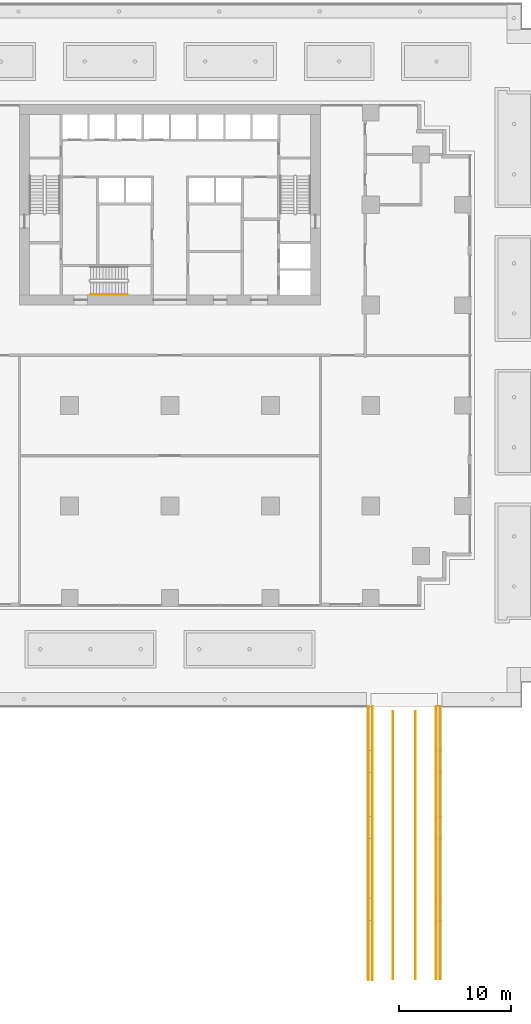
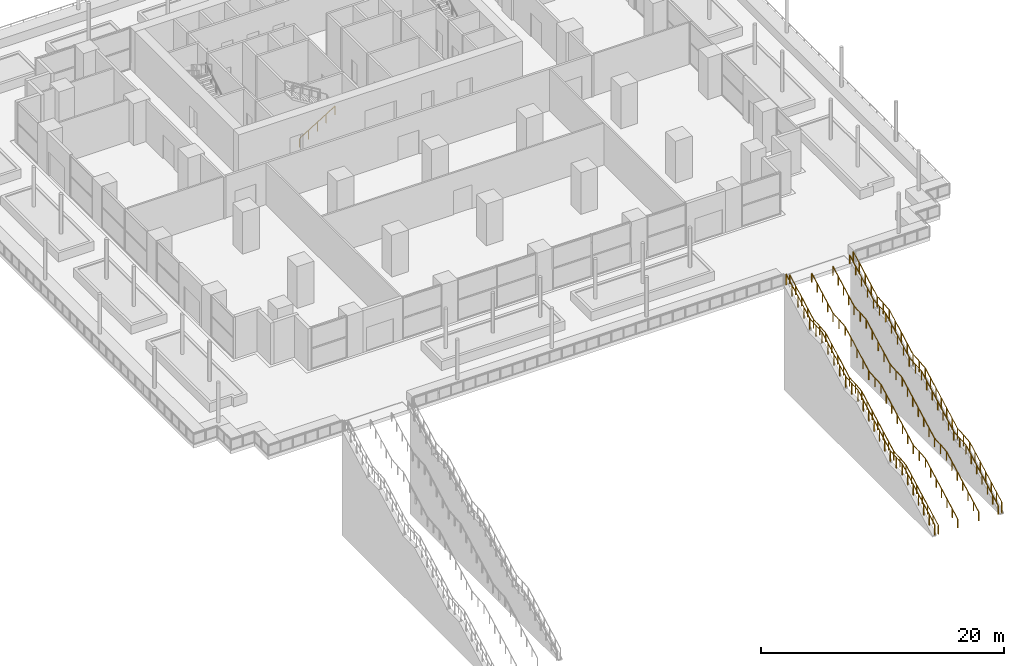
# One storey, part 14 of 18: 7 railings.
"""IFC4 building model written with IfcOpenShell, lengths in metres."""

from ifc_helpers import new_model, si_unit, direction, frame, origin, origin_2d, place, context, subcontext, project, spatial, rectangle, circle, extrude, material, type_object, element, save


model = new_model("IFC4")

# Units and contexts
model_context = context("Model", 3, precision=1e-05, world=origin(), true_north=direction((0.0, 1.0)))
body_context = subcontext(model_context, "Body", "Model", "MODEL_VIEW")
ifc_project = project(units=[si_unit("LENGTHUNIT", "METRE"), si_unit("AREAUNIT", "SQUARE_METRE"), si_unit("VOLUMEUNIT", "CUBIC_METRE"), si_unit("PLANEANGLEUNIT", "RADIAN"), si_unit("MASSUNIT", "GRAM", prefix="KILO")], contexts=[model_context])

# Site, building, storey
site_placement = place(None, origin())
site = spatial("IfcSite", under=ifc_project, at=site_placement, CompositionType="ELEMENT")
building_placement = place(site_placement, origin())
building = spatial("IfcBuilding", under=site, at=building_placement, Name="Orbiselva Terraces", CompositionType="ELEMENT")
storey_placement = place(building_placement, frame((0.0, 0.0, 10.5)))
storey = spatial("IfcBuildingStorey", under=building, at=storey_placement, Name="L02", CompositionType="ELEMENT", Elevation=10.5)

# Railings
ifc_material_1 = material(Name="Stainless steel", Category="steel")
railing_type_1 = type_object("IfcRailingType", Name="CORE-HANDRAIL-900", PredefinedType="HANDRAIL", material=ifc_material_1)
railing_1_placement = place(storey_placement, frame((-7.15, 5.45, 0.173077)))
element("IfcRailing", 1, at=railing_1_placement, inside=storey, type_object=railing_type_1, Name="L02 S3 stair handrail 1", PredefinedType="HANDRAIL", context=body_context, shape_type="SweptSolid", body=[
    extrude(circle(Radius=0.024, at=origin_2d()), frame((0.0, 0.0, 0.876), z_axis=(0.850613581029, 0.0, 0.525791342426), x_axis=(0.0, 1.0, 0.0)), (0.0, 0.0, 1.0), 3.95009),
    extrude(circle(Radius=0.021, at=origin_2d()), origin(), (0.0, 0.0, 1.0), 0.852),
    extrude(circle(Radius=0.021, at=origin_2d()), frame((0.84, 0.0, 0.519231)), (0.0, 0.0, 1.0), 0.852),
    extrude(circle(Radius=0.021, at=origin_2d()), frame((1.68, 0.0, 1.038462)), (0.0, 0.0, 1.0), 0.852),
    extrude(circle(Radius=0.021, at=origin_2d()), frame((2.52, 0.0, 1.557692)), (0.0, 0.0, 1.0), 0.852),
    extrude(circle(Radius=0.021, at=origin_2d()), frame((3.36, 0.0, 2.076923)), (0.0, 0.0, 1.0), 0.852),
])
ifc_material_2 = material(Name="Stainless steel rail and posts", Category="steel")
railing_type_2 = type_object("IfcRailingType", Name="ENV-HANDRAIL-900", PredefinedType="HANDRAIL", material=ifc_material_2)
railing_2_placement = place(storey_placement, frame((23.85, -55.98, -10.35)))
element("IfcRailing", 2, at=railing_2_placement, inside=storey, type_object=railing_type_2, Name="Stair handrail 2E", PredefinedType="HANDRAIL", context=body_context, shape_type="SweptSolid", body=[
    extrude(circle(Radius=0.025, at=origin_2d()), frame((0.0, 0.0, 0.875), z_axis=(0.0, 0.881479970029, 0.472221412515), x_axis=(-1.0, 0.0, 0.0)), (0.0, 0.0, 1.0), 6.035304),
    extrude(circle(Radius=0.025, at=origin_2d()), frame((0.0, 5.32, 3.725), z_axis=(0.0, 0.997199309888, 0.074789948242), x_axis=(-1.0, 0.0, 0.0)), (0.0, 0.0, 1.0), 2.005617),
    extrude(circle(Radius=0.025, at=origin_2d()), frame((0.0, 7.32, 3.875), z_axis=(0.0, 0.881479970029, 0.472221412515), x_axis=(-1.0, 0.0, 0.0)), (0.0, 0.0, 1.0), 6.035304),
    extrude(circle(Radius=0.025, at=origin_2d()), frame((0.0, 12.64, 6.725), z_axis=(0.0, 0.997199309888, 0.074789948242), x_axis=(-1.0, 0.0, 0.0)), (0.0, 0.0, 1.0), 2.005617),
    extrude(circle(Radius=0.025, at=origin_2d()), frame((0.0, 14.64, 6.875), z_axis=(0.0, 0.881479970029, 0.472221412515), x_axis=(-1.0, 0.0, 0.0)), (0.0, 0.0, 1.0), 4.447066),
    extrude(circle(Radius=0.025, at=origin_2d()), frame((0.0, 18.56, 8.975), z_axis=(0.0, 0.997199309888, 0.074789948242), x_axis=(-1.0, 0.0, 0.0)), (0.0, 0.0, 1.0), 2.005617),
    extrude(circle(Radius=0.025, at=origin_2d()), frame((0.0, 20.56, 9.125), z_axis=(0.0, 0.881479970029, 0.472221412515), x_axis=(-1.0, 0.0, 0.0)), (0.0, 0.0, 1.0), 4.447066),
    extrude(rectangle(XDim=0.05, YDim=0.05, at=origin_2d()), origin(), (0.0, 0.0, 1.0), 0.85),
    extrude(rectangle(XDim=0.05, YDim=0.05, at=origin_2d()), frame((0.0, 0.886667, 0.475)), (0.0, 0.0, 1.0), 0.85),
    extrude(rectangle(XDim=0.05, YDim=0.05, at=origin_2d()), frame((0.0, 1.773333, 0.95)), (0.0, 0.0, 1.0), 0.85),
    extrude(rectangle(XDim=0.05, YDim=0.05, at=origin_2d()), frame((0.0, 2.66, 1.425)), (0.0, 0.0, 1.0), 0.85),
    extrude(rectangle(XDim=0.05, YDim=0.05, at=origin_2d()), frame((0.0, 3.546667, 1.9)), (0.0, 0.0, 1.0), 0.85),
    extrude(rectangle(XDim=0.05, YDim=0.05, at=origin_2d()), frame((0.0, 4.433333, 2.375)), (0.0, 0.0, 1.0), 0.85),
    extrude(rectangle(XDim=0.05, YDim=0.05, at=origin_2d()), frame((0.0, 5.32, 2.85)), (0.0, 0.0, 1.0), 0.85),
    extrude(rectangle(XDim=0.05, YDim=0.05, at=origin_2d()), frame((0.0, 6.32, 2.925)), (0.0, 0.0, 1.0), 0.85),
    extrude(rectangle(XDim=0.05, YDim=0.05, at=origin_2d()), frame((0.0, 7.32, 3.0)), (0.0, 0.0, 1.0), 0.85),
    extrude(rectangle(XDim=0.05, YDim=0.05, at=origin_2d()), frame((0.0, 8.206667, 3.475)), (0.0, 0.0, 1.0), 0.85),
    extrude(rectangle(XDim=0.05, YDim=0.05, at=origin_2d()), frame((0.0, 9.093333, 3.95)), (0.0, 0.0, 1.0), 0.85),
    extrude(rectangle(XDim=0.05, YDim=0.05, at=origin_2d()), frame((0.0, 9.98, 4.425)), (0.0, 0.0, 1.0), 0.85),
    extrude(rectangle(XDim=0.05, YDim=0.05, at=origin_2d()), frame((0.0, 10.866667, 4.9)), (0.0, 0.0, 1.0), 0.85),
    extrude(rectangle(XDim=0.05, YDim=0.05, at=origin_2d()), frame((0.0, 11.753333, 5.375)), (0.0, 0.0, 1.0), 0.85),
    extrude(rectangle(XDim=0.05, YDim=0.05, at=origin_2d()), frame((0.0, 12.64, 5.85)), (0.0, 0.0, 1.0), 0.85),
    extrude(rectangle(XDim=0.05, YDim=0.05, at=origin_2d()), frame((0.0, 13.64, 5.925)), (0.0, 0.0, 1.0), 0.85),
    extrude(rectangle(XDim=0.05, YDim=0.05, at=origin_2d()), frame((0.0, 14.64, 6.0)), (0.0, 0.0, 1.0), 0.85),
    extrude(rectangle(XDim=0.05, YDim=0.05, at=origin_2d()), frame((0.0, 15.62, 6.525)), (0.0, 0.0, 1.0), 0.85),
    extrude(rectangle(XDim=0.05, YDim=0.05, at=origin_2d()), frame((0.0, 16.6, 7.05)), (0.0, 0.0, 1.0), 0.85),
    extrude(rectangle(XDim=0.05, YDim=0.05, at=origin_2d()), frame((0.0, 17.58, 7.575)), (0.0, 0.0, 1.0), 0.85),
    extrude(rectangle(XDim=0.05, YDim=0.05, at=origin_2d()), frame((0.0, 18.56, 8.1)), (0.0, 0.0, 1.0), 0.85),
    extrude(rectangle(XDim=0.05, YDim=0.05, at=origin_2d()), frame((0.0, 19.56, 8.175)), (0.0, 0.0, 1.0), 0.85),
    extrude(rectangle(XDim=0.05, YDim=0.05, at=origin_2d()), frame((0.0, 20.56, 8.25)), (0.0, 0.0, 1.0), 0.85),
    extrude(rectangle(XDim=0.05, YDim=0.05, at=origin_2d()), frame((0.0, 21.54, 8.775)), (0.0, 0.0, 1.0), 0.85),
    extrude(rectangle(XDim=0.05, YDim=0.05, at=origin_2d()), frame((0.0, 22.52, 9.3)), (0.0, 0.0, 1.0), 0.85),
    extrude(rectangle(XDim=0.05, YDim=0.05, at=origin_2d()), frame((0.0, 23.5, 9.825)), (0.0, 0.0, 1.0), 0.85),
    extrude(rectangle(XDim=0.05, YDim=0.05, at=origin_2d()), frame((0.0, 24.48, 10.35)), (0.0, 0.0, 1.0), 0.85),
])
railing_3_placement = place(storey_placement, frame((18.15, -55.98, -10.35)))
element("IfcRailing", 3, at=railing_3_placement, inside=storey, type_object=railing_type_2, Name="Stair handrail 2W", PredefinedType="HANDRAIL", context=body_context, shape_type="SweptSolid", body=[
    extrude(circle(Radius=0.025, at=origin_2d()), frame((0.0, 0.0, 0.875), z_axis=(0.0, 0.881479970029, 0.472221412515), x_axis=(-1.0, 0.0, 0.0)), (0.0, 0.0, 1.0), 6.035304),
    extrude(circle(Radius=0.025, at=origin_2d()), frame((0.0, 5.32, 3.725), z_axis=(0.0, 0.997199309888, 0.074789948242), x_axis=(-1.0, 0.0, 0.0)), (0.0, 0.0, 1.0), 2.005617),
    extrude(circle(Radius=0.025, at=origin_2d()), frame((0.0, 7.32, 3.875), z_axis=(0.0, 0.881479970029, 0.472221412515), x_axis=(-1.0, 0.0, 0.0)), (0.0, 0.0, 1.0), 6.035304),
    extrude(circle(Radius=0.025, at=origin_2d()), frame((0.0, 12.64, 6.725), z_axis=(0.0, 0.997199309888, 0.074789948242), x_axis=(-1.0, 0.0, 0.0)), (0.0, 0.0, 1.0), 2.005617),
    extrude(circle(Radius=0.025, at=origin_2d()), frame((0.0, 14.64, 6.875), z_axis=(0.0, 0.881479970029, 0.472221412515), x_axis=(-1.0, 0.0, 0.0)), (0.0, 0.0, 1.0), 4.447066),
    extrude(circle(Radius=0.025, at=origin_2d()), frame((0.0, 18.56, 8.975), z_axis=(0.0, 0.997199309888, 0.074789948242), x_axis=(-1.0, 0.0, 0.0)), (0.0, 0.0, 1.0), 2.005617),
    extrude(circle(Radius=0.025, at=origin_2d()), frame((0.0, 20.56, 9.125), z_axis=(0.0, 0.881479970029, 0.472221412515), x_axis=(-1.0, 0.0, 0.0)), (0.0, 0.0, 1.0), 4.447066),
    extrude(rectangle(XDim=0.05, YDim=0.05, at=origin_2d()), origin(), (0.0, 0.0, 1.0), 0.85),
    extrude(rectangle(XDim=0.05, YDim=0.05, at=origin_2d()), frame((0.0, 0.886667, 0.475)), (0.0, 0.0, 1.0), 0.85),
    extrude(rectangle(XDim=0.05, YDim=0.05, at=origin_2d()), frame((0.0, 1.773333, 0.95)), (0.0, 0.0, 1.0), 0.85),
    extrude(rectangle(XDim=0.05, YDim=0.05, at=origin_2d()), frame((0.0, 2.66, 1.425)), (0.0, 0.0, 1.0), 0.85),
    extrude(rectangle(XDim=0.05, YDim=0.05, at=origin_2d()), frame((0.0, 3.546667, 1.9)), (0.0, 0.0, 1.0), 0.85),
    extrude(rectangle(XDim=0.05, YDim=0.05, at=origin_2d()), frame((0.0, 4.433333, 2.375)), (0.0, 0.0, 1.0), 0.85),
    extrude(rectangle(XDim=0.05, YDim=0.05, at=origin_2d()), frame((0.0, 5.32, 2.85)), (0.0, 0.0, 1.0), 0.85),
    extrude(rectangle(XDim=0.05, YDim=0.05, at=origin_2d()), frame((0.0, 6.32, 2.925)), (0.0, 0.0, 1.0), 0.85),
    extrude(rectangle(XDim=0.05, YDim=0.05, at=origin_2d()), frame((0.0, 7.32, 3.0)), (0.0, 0.0, 1.0), 0.85),
    extrude(rectangle(XDim=0.05, YDim=0.05, at=origin_2d()), frame((0.0, 8.206667, 3.475)), (0.0, 0.0, 1.0), 0.85),
    extrude(rectangle(XDim=0.05, YDim=0.05, at=origin_2d()), frame((0.0, 9.093333, 3.95)), (0.0, 0.0, 1.0), 0.85),
    extrude(rectangle(XDim=0.05, YDim=0.05, at=origin_2d()), frame((0.0, 9.98, 4.425)), (0.0, 0.0, 1.0), 0.85),
    extrude(rectangle(XDim=0.05, YDim=0.05, at=origin_2d()), frame((0.0, 10.866667, 4.9)), (0.0, 0.0, 1.0), 0.85),
    extrude(rectangle(XDim=0.05, YDim=0.05, at=origin_2d()), frame((0.0, 11.753333, 5.375)), (0.0, 0.0, 1.0), 0.85),
    extrude(rectangle(XDim=0.05, YDim=0.05, at=origin_2d()), frame((0.0, 12.64, 5.85)), (0.0, 0.0, 1.0), 0.85),
    extrude(rectangle(XDim=0.05, YDim=0.05, at=origin_2d()), frame((0.0, 13.64, 5.925)), (0.0, 0.0, 1.0), 0.85),
    extrude(rectangle(XDim=0.05, YDim=0.05, at=origin_2d()), frame((0.0, 14.64, 6.0)), (0.0, 0.0, 1.0), 0.85),
    extrude(rectangle(XDim=0.05, YDim=0.05, at=origin_2d()), frame((0.0, 15.62, 6.525)), (0.0, 0.0, 1.0), 0.85),
    extrude(rectangle(XDim=0.05, YDim=0.05, at=origin_2d()), frame((0.0, 16.6, 7.05)), (0.0, 0.0, 1.0), 0.85),
    extrude(rectangle(XDim=0.05, YDim=0.05, at=origin_2d()), frame((0.0, 17.58, 7.575)), (0.0, 0.0, 1.0), 0.85),
    extrude(rectangle(XDim=0.05, YDim=0.05, at=origin_2d()), frame((0.0, 18.56, 8.1)), (0.0, 0.0, 1.0), 0.85),
    extrude(rectangle(XDim=0.05, YDim=0.05, at=origin_2d()), frame((0.0, 19.56, 8.175)), (0.0, 0.0, 1.0), 0.85),
    extrude(rectangle(XDim=0.05, YDim=0.05, at=origin_2d()), frame((0.0, 20.56, 8.25)), (0.0, 0.0, 1.0), 0.85),
    extrude(rectangle(XDim=0.05, YDim=0.05, at=origin_2d()), frame((0.0, 21.54, 8.775)), (0.0, 0.0, 1.0), 0.85),
    extrude(rectangle(XDim=0.05, YDim=0.05, at=origin_2d()), frame((0.0, 22.52, 9.3)), (0.0, 0.0, 1.0), 0.85),
    extrude(rectangle(XDim=0.05, YDim=0.05, at=origin_2d()), frame((0.0, 23.5, 9.825)), (0.0, 0.0, 1.0), 0.85),
    extrude(rectangle(XDim=0.05, YDim=0.05, at=origin_2d()), frame((0.0, 24.48, 10.35)), (0.0, 0.0, 1.0), 0.85),
])
railing_4_placement = place(storey_placement, frame((19.995, -55.98, -10.35)))
element("IfcRailing", 4, at=railing_4_placement, inside=storey, type_object=railing_type_2, Name="Stair handrail 2 between lanes 1", PredefinedType="HANDRAIL", context=body_context, shape_type="SweptSolid", body=[
    extrude(circle(Radius=0.025, at=origin_2d()), frame((0.0, 0.0, 0.875), z_axis=(0.0, 0.881479970029, 0.472221412515), x_axis=(-1.0, 0.0, 0.0)), (0.0, 0.0, 1.0), 6.035304),
    extrude(circle(Radius=0.025, at=origin_2d()), frame((0.0, 5.32, 3.725), z_axis=(0.0, 0.997199309888, 0.074789948242), x_axis=(-1.0, 0.0, 0.0)), (0.0, 0.0, 1.0), 2.005617),
    extrude(circle(Radius=0.025, at=origin_2d()), frame((0.0, 7.32, 3.875), z_axis=(0.0, 0.881479970029, 0.472221412515), x_axis=(-1.0, 0.0, 0.0)), (0.0, 0.0, 1.0), 6.035304),
    extrude(circle(Radius=0.025, at=origin_2d()), frame((0.0, 12.64, 6.725), z_axis=(0.0, 0.997199309888, 0.074789948242), x_axis=(-1.0, 0.0, 0.0)), (0.0, 0.0, 1.0), 2.005617),
    extrude(circle(Radius=0.025, at=origin_2d()), frame((0.0, 14.64, 6.875), z_axis=(0.0, 0.881479970029, 0.472221412515), x_axis=(-1.0, 0.0, 0.0)), (0.0, 0.0, 1.0), 4.447066),
    extrude(circle(Radius=0.025, at=origin_2d()), frame((0.0, 18.56, 8.975), z_axis=(0.0, 0.997199309888, 0.074789948242), x_axis=(-1.0, 0.0, 0.0)), (0.0, 0.0, 1.0), 2.005617),
    extrude(circle(Radius=0.025, at=origin_2d()), frame((0.0, 20.56, 9.125), z_axis=(0.0, 0.881479924711, 0.472221497108), x_axis=(-1.0, 0.0, 0.0)), (0.0, 0.0, 1.0), 3.936562),
    extrude(rectangle(XDim=0.05, YDim=0.05, at=origin_2d()), origin(), (0.0, 0.0, 1.0), 0.85),
    extrude(rectangle(XDim=0.05, YDim=0.05, at=origin_2d()), frame((0.0, 0.886667, 0.475)), (0.0, 0.0, 1.0), 0.85),
    extrude(rectangle(XDim=0.05, YDim=0.05, at=origin_2d()), frame((0.0, 1.773333, 0.95)), (0.0, 0.0, 1.0), 0.85),
    extrude(rectangle(XDim=0.05, YDim=0.05, at=origin_2d()), frame((0.0, 2.66, 1.425)), (0.0, 0.0, 1.0), 0.85),
    extrude(rectangle(XDim=0.05, YDim=0.05, at=origin_2d()), frame((0.0, 3.546667, 1.9)), (0.0, 0.0, 1.0), 0.85),
    extrude(rectangle(XDim=0.05, YDim=0.05, at=origin_2d()), frame((0.0, 4.433333, 2.375)), (0.0, 0.0, 1.0), 0.85),
    extrude(rectangle(XDim=0.05, YDim=0.05, at=origin_2d()), frame((0.0, 5.32, 2.85)), (0.0, 0.0, 1.0), 0.85),
    extrude(rectangle(XDim=0.05, YDim=0.05, at=origin_2d()), frame((0.0, 6.32, 2.925)), (0.0, 0.0, 1.0), 0.85),
    extrude(rectangle(XDim=0.05, YDim=0.05, at=origin_2d()), frame((0.0, 7.32, 3.0)), (0.0, 0.0, 1.0), 0.85),
    extrude(rectangle(XDim=0.05, YDim=0.05, at=origin_2d()), frame((0.0, 8.206667, 3.475)), (0.0, 0.0, 1.0), 0.85),
    extrude(rectangle(XDim=0.05, YDim=0.05, at=origin_2d()), frame((0.0, 9.093333, 3.95)), (0.0, 0.0, 1.0), 0.85),
    extrude(rectangle(XDim=0.05, YDim=0.05, at=origin_2d()), frame((0.0, 9.98, 4.425)), (0.0, 0.0, 1.0), 0.85),
    extrude(rectangle(XDim=0.05, YDim=0.05, at=origin_2d()), frame((0.0, 10.866667, 4.9)), (0.0, 0.0, 1.0), 0.85),
    extrude(rectangle(XDim=0.05, YDim=0.05, at=origin_2d()), frame((0.0, 11.753333, 5.375)), (0.0, 0.0, 1.0), 0.85),
    extrude(rectangle(XDim=0.05, YDim=0.05, at=origin_2d()), frame((0.0, 12.64, 5.85)), (0.0, 0.0, 1.0), 0.85),
    extrude(rectangle(XDim=0.05, YDim=0.05, at=origin_2d()), frame((0.0, 13.64, 5.925)), (0.0, 0.0, 1.0), 0.85),
    extrude(rectangle(XDim=0.05, YDim=0.05, at=origin_2d()), frame((0.0, 14.64, 6.0)), (0.0, 0.0, 1.0), 0.85),
    extrude(rectangle(XDim=0.05, YDim=0.05, at=origin_2d()), frame((0.0, 15.62, 6.525)), (0.0, 0.0, 1.0), 0.85),
    extrude(rectangle(XDim=0.05, YDim=0.05, at=origin_2d()), frame((0.0, 16.6, 7.05)), (0.0, 0.0, 1.0), 0.85),
    extrude(rectangle(XDim=0.05, YDim=0.05, at=origin_2d()), frame((0.0, 17.58, 7.575)), (0.0, 0.0, 1.0), 0.85),
    extrude(rectangle(XDim=0.05, YDim=0.05, at=origin_2d()), frame((0.0, 18.56, 8.1)), (0.0, 0.0, 1.0), 0.85),
    extrude(rectangle(XDim=0.05, YDim=0.05, at=origin_2d()), frame((0.0, 19.56, 8.175)), (0.0, 0.0, 1.0), 0.85),
    extrude(rectangle(XDim=0.05, YDim=0.05, at=origin_2d()), frame((0.0, 20.56, 8.25)), (0.0, 0.0, 1.0), 0.85),
    extrude(rectangle(XDim=0.05, YDim=0.05, at=origin_2d()), frame((0.0, 21.4275, 8.714732)), (0.0, 0.0, 1.0), 0.85),
    extrude(rectangle(XDim=0.05, YDim=0.05, at=origin_2d()), frame((0.0, 22.295, 9.179464)), (0.0, 0.0, 1.0), 0.85),
    extrude(rectangle(XDim=0.05, YDim=0.05, at=origin_2d()), frame((0.0, 23.1625, 9.644197)), (0.0, 0.0, 1.0), 0.85),
    extrude(rectangle(XDim=0.05, YDim=0.05, at=origin_2d()), frame((0.0, 24.03, 10.108929)), (0.0, 0.0, 1.0), 0.85),
])
railing_5_placement = place(storey_placement, frame((22.005, -55.98, -10.35)))
element("IfcRailing", 5, at=railing_5_placement, inside=storey, type_object=railing_type_2, Name="Stair handrail 2 between lanes 2", PredefinedType="HANDRAIL", context=body_context, shape_type="SweptSolid", body=[
    extrude(circle(Radius=0.025, at=origin_2d()), frame((0.0, 0.0, 0.875), z_axis=(0.0, 0.881479970029, 0.472221412515), x_axis=(-1.0, 0.0, 0.0)), (0.0, 0.0, 1.0), 6.035304),
    extrude(circle(Radius=0.025, at=origin_2d()), frame((0.0, 5.32, 3.725), z_axis=(0.0, 0.997199309888, 0.074789948242), x_axis=(-1.0, 0.0, 0.0)), (0.0, 0.0, 1.0), 2.005617),
    extrude(circle(Radius=0.025, at=origin_2d()), frame((0.0, 7.32, 3.875), z_axis=(0.0, 0.881479970029, 0.472221412515), x_axis=(-1.0, 0.0, 0.0)), (0.0, 0.0, 1.0), 6.035304),
    extrude(circle(Radius=0.025, at=origin_2d()), frame((0.0, 12.64, 6.725), z_axis=(0.0, 0.997199309888, 0.074789948242), x_axis=(-1.0, 0.0, 0.0)), (0.0, 0.0, 1.0), 2.005617),
    extrude(circle(Radius=0.025, at=origin_2d()), frame((0.0, 14.64, 6.875), z_axis=(0.0, 0.881479970029, 0.472221412515), x_axis=(-1.0, 0.0, 0.0)), (0.0, 0.0, 1.0), 4.447066),
    extrude(circle(Radius=0.025, at=origin_2d()), frame((0.0, 18.56, 8.975), z_axis=(0.0, 0.997199309888, 0.074789948242), x_axis=(-1.0, 0.0, 0.0)), (0.0, 0.0, 1.0), 2.005617),
    extrude(circle(Radius=0.025, at=origin_2d()), frame((0.0, 20.56, 9.125), z_axis=(0.0, 0.881479924711, 0.472221497108), x_axis=(-1.0, 0.0, 0.0)), (0.0, 0.0, 1.0), 3.936562),
    extrude(rectangle(XDim=0.05, YDim=0.05, at=origin_2d()), origin(), (0.0, 0.0, 1.0), 0.85),
    extrude(rectangle(XDim=0.05, YDim=0.05, at=origin_2d()), frame((0.0, 0.886667, 0.475)), (0.0, 0.0, 1.0), 0.85),
    extrude(rectangle(XDim=0.05, YDim=0.05, at=origin_2d()), frame((0.0, 1.773333, 0.95)), (0.0, 0.0, 1.0), 0.85),
    extrude(rectangle(XDim=0.05, YDim=0.05, at=origin_2d()), frame((0.0, 2.66, 1.425)), (0.0, 0.0, 1.0), 0.85),
    extrude(rectangle(XDim=0.05, YDim=0.05, at=origin_2d()), frame((0.0, 3.546667, 1.9)), (0.0, 0.0, 1.0), 0.85),
    extrude(rectangle(XDim=0.05, YDim=0.05, at=origin_2d()), frame((0.0, 4.433333, 2.375)), (0.0, 0.0, 1.0), 0.85),
    extrude(rectangle(XDim=0.05, YDim=0.05, at=origin_2d()), frame((0.0, 5.32, 2.85)), (0.0, 0.0, 1.0), 0.85),
    extrude(rectangle(XDim=0.05, YDim=0.05, at=origin_2d()), frame((0.0, 6.32, 2.925)), (0.0, 0.0, 1.0), 0.85),
    extrude(rectangle(XDim=0.05, YDim=0.05, at=origin_2d()), frame((0.0, 7.32, 3.0)), (0.0, 0.0, 1.0), 0.85),
    extrude(rectangle(XDim=0.05, YDim=0.05, at=origin_2d()), frame((0.0, 8.206667, 3.475)), (0.0, 0.0, 1.0), 0.85),
    extrude(rectangle(XDim=0.05, YDim=0.05, at=origin_2d()), frame((0.0, 9.093333, 3.95)), (0.0, 0.0, 1.0), 0.85),
    extrude(rectangle(XDim=0.05, YDim=0.05, at=origin_2d()), frame((0.0, 9.98, 4.425)), (0.0, 0.0, 1.0), 0.85),
    extrude(rectangle(XDim=0.05, YDim=0.05, at=origin_2d()), frame((0.0, 10.866667, 4.9)), (0.0, 0.0, 1.0), 0.85),
    extrude(rectangle(XDim=0.05, YDim=0.05, at=origin_2d()), frame((0.0, 11.753333, 5.375)), (0.0, 0.0, 1.0), 0.85),
    extrude(rectangle(XDim=0.05, YDim=0.05, at=origin_2d()), frame((0.0, 12.64, 5.85)), (0.0, 0.0, 1.0), 0.85),
    extrude(rectangle(XDim=0.05, YDim=0.05, at=origin_2d()), frame((0.0, 13.64, 5.925)), (0.0, 0.0, 1.0), 0.85),
    extrude(rectangle(XDim=0.05, YDim=0.05, at=origin_2d()), frame((0.0, 14.64, 6.0)), (0.0, 0.0, 1.0), 0.85),
    extrude(rectangle(XDim=0.05, YDim=0.05, at=origin_2d()), frame((0.0, 15.62, 6.525)), (0.0, 0.0, 1.0), 0.85),
    extrude(rectangle(XDim=0.05, YDim=0.05, at=origin_2d()), frame((0.0, 16.6, 7.05)), (0.0, 0.0, 1.0), 0.85),
    extrude(rectangle(XDim=0.05, YDim=0.05, at=origin_2d()), frame((0.0, 17.58, 7.575)), (0.0, 0.0, 1.0), 0.85),
    extrude(rectangle(XDim=0.05, YDim=0.05, at=origin_2d()), frame((0.0, 18.56, 8.1)), (0.0, 0.0, 1.0), 0.85),
    extrude(rectangle(XDim=0.05, YDim=0.05, at=origin_2d()), frame((0.0, 19.56, 8.175)), (0.0, 0.0, 1.0), 0.85),
    extrude(rectangle(XDim=0.05, YDim=0.05, at=origin_2d()), frame((0.0, 20.56, 8.25)), (0.0, 0.0, 1.0), 0.85),
    extrude(rectangle(XDim=0.05, YDim=0.05, at=origin_2d()), frame((0.0, 21.4275, 8.714732)), (0.0, 0.0, 1.0), 0.85),
    extrude(rectangle(XDim=0.05, YDim=0.05, at=origin_2d()), frame((0.0, 22.295, 9.179464)), (0.0, 0.0, 1.0), 0.85),
    extrude(rectangle(XDim=0.05, YDim=0.05, at=origin_2d()), frame((0.0, 23.1625, 9.644197)), (0.0, 0.0, 1.0), 0.85),
    extrude(rectangle(XDim=0.05, YDim=0.05, at=origin_2d()), frame((0.0, 24.03, 10.108929)), (0.0, 0.0, 1.0), 0.85),
])
railing_type_3 = type_object("IfcRailingType", Name="ENV-TERRACE-GUARD-1105", PredefinedType="BALUSTRADE", material=ifc_material_2)
railing_6_placement = place(storey_placement, frame((24.2, -55.98, -10.35)))
element("IfcRailing", 6, at=railing_6_placement, inside=storey, type_object=railing_type_3, Name="Stair guard 2E", PredefinedType="BALUSTRADE", context=body_context, shape_type="SweptSolid", body=[
    extrude(circle(Radius=0.025, at=origin_2d()), frame((0.0, 0.0, 1.08), z_axis=(0.0, 0.881479970029, 0.472221412515), x_axis=(-1.0, 0.0, 0.0)), (0.0, 0.0, 1.0), 6.035304),
    extrude(circle(Radius=0.025, at=origin_2d()), frame((0.0, 5.32, 3.93), z_axis=(0.0, 0.997199309888, 0.074789948242), x_axis=(-1.0, 0.0, 0.0)), (0.0, 0.0, 1.0), 2.005617),
    extrude(circle(Radius=0.025, at=origin_2d()), frame((0.0, 7.32, 4.08), z_axis=(0.0, 0.881479970029, 0.472221412515), x_axis=(-1.0, 0.0, 0.0)), (0.0, 0.0, 1.0), 6.035304),
    extrude(circle(Radius=0.025, at=origin_2d()), frame((0.0, 12.64, 6.93), z_axis=(0.0, 0.997199309888, 0.074789948242), x_axis=(-1.0, 0.0, 0.0)), (0.0, 0.0, 1.0), 2.005617),
    extrude(circle(Radius=0.025, at=origin_2d()), frame((0.0, 14.64, 7.08), z_axis=(0.0, 0.881479970029, 0.472221412515), x_axis=(-1.0, 0.0, 0.0)), (0.0, 0.0, 1.0), 4.447066),
    extrude(circle(Radius=0.025, at=origin_2d()), frame((0.0, 18.56, 9.18), z_axis=(0.0, 0.997199309888, 0.074789948242), x_axis=(-1.0, 0.0, 0.0)), (0.0, 0.0, 1.0), 2.005617),
    extrude(circle(Radius=0.025, at=origin_2d()), frame((0.0, 20.56, 9.33), z_axis=(0.0, 0.881479970029, 0.472221412515), x_axis=(-1.0, 0.0, 0.0)), (0.0, 0.0, 1.0), 4.447066),
    extrude(rectangle(XDim=0.05, YDim=0.05, at=origin_2d()), origin(), (0.0, 0.0, 1.0), 1.055),
    extrude(rectangle(XDim=0.05, YDim=0.05, at=origin_2d()), frame((0.0, 0.886667, 0.475)), (0.0, 0.0, 1.0), 1.055),
    extrude(rectangle(XDim=0.05, YDim=0.05, at=origin_2d()), frame((0.0, 1.773333, 0.95)), (0.0, 0.0, 1.0), 1.055),
    extrude(rectangle(XDim=0.05, YDim=0.05, at=origin_2d()), frame((0.0, 2.66, 1.425)), (0.0, 0.0, 1.0), 1.055),
    extrude(rectangle(XDim=0.05, YDim=0.05, at=origin_2d()), frame((0.0, 3.546667, 1.9)), (0.0, 0.0, 1.0), 1.055),
    extrude(rectangle(XDim=0.05, YDim=0.05, at=origin_2d()), frame((0.0, 4.433333, 2.375)), (0.0, 0.0, 1.0), 1.055),
    extrude(rectangle(XDim=0.05, YDim=0.05, at=origin_2d()), frame((0.0, 5.32, 2.85)), (0.0, 0.0, 1.0), 1.055),
    extrude(rectangle(XDim=0.05, YDim=0.05, at=origin_2d()), frame((0.0, 6.32, 2.925)), (0.0, 0.0, 1.0), 1.055),
    extrude(rectangle(XDim=0.05, YDim=0.05, at=origin_2d()), frame((0.0, 7.32, 3.0)), (0.0, 0.0, 1.0), 1.055),
    extrude(rectangle(XDim=0.05, YDim=0.05, at=origin_2d()), frame((0.0, 8.206667, 3.475)), (0.0, 0.0, 1.0), 1.055),
    extrude(rectangle(XDim=0.05, YDim=0.05, at=origin_2d()), frame((0.0, 9.093333, 3.95)), (0.0, 0.0, 1.0), 1.055),
    extrude(rectangle(XDim=0.05, YDim=0.05, at=origin_2d()), frame((0.0, 9.98, 4.425)), (0.0, 0.0, 1.0), 1.055),
    extrude(rectangle(XDim=0.05, YDim=0.05, at=origin_2d()), frame((0.0, 10.866667, 4.9)), (0.0, 0.0, 1.0), 1.055),
    extrude(rectangle(XDim=0.05, YDim=0.05, at=origin_2d()), frame((0.0, 11.753333, 5.375)), (0.0, 0.0, 1.0), 1.055),
    extrude(rectangle(XDim=0.05, YDim=0.05, at=origin_2d()), frame((0.0, 12.64, 5.85)), (0.0, 0.0, 1.0), 1.055),
    extrude(rectangle(XDim=0.05, YDim=0.05, at=origin_2d()), frame((0.0, 13.64, 5.925)), (0.0, 0.0, 1.0), 1.055),
    extrude(rectangle(XDim=0.05, YDim=0.05, at=origin_2d()), frame((0.0, 14.64, 6.0)), (0.0, 0.0, 1.0), 1.055),
    extrude(rectangle(XDim=0.05, YDim=0.05, at=origin_2d()), frame((0.0, 15.62, 6.525)), (0.0, 0.0, 1.0), 1.055),
    extrude(rectangle(XDim=0.05, YDim=0.05, at=origin_2d()), frame((0.0, 16.6, 7.05)), (0.0, 0.0, 1.0), 1.055),
    extrude(rectangle(XDim=0.05, YDim=0.05, at=origin_2d()), frame((0.0, 17.58, 7.575)), (0.0, 0.0, 1.0), 1.055),
    extrude(rectangle(XDim=0.05, YDim=0.05, at=origin_2d()), frame((0.0, 18.56, 8.1)), (0.0, 0.0, 1.0), 1.055),
    extrude(rectangle(XDim=0.05, YDim=0.05, at=origin_2d()), frame((0.0, 19.56, 8.175)), (0.0, 0.0, 1.0), 1.055),
    extrude(rectangle(XDim=0.05, YDim=0.05, at=origin_2d()), frame((0.0, 20.56, 8.25)), (0.0, 0.0, 1.0), 1.055),
    extrude(rectangle(XDim=0.05, YDim=0.05, at=origin_2d()), frame((0.0, 21.54, 8.775)), (0.0, 0.0, 1.0), 1.055),
    extrude(rectangle(XDim=0.05, YDim=0.05, at=origin_2d()), frame((0.0, 22.52, 9.3)), (0.0, 0.0, 1.0), 1.055),
    extrude(rectangle(XDim=0.05, YDim=0.05, at=origin_2d()), frame((0.0, 23.5, 9.825)), (0.0, 0.0, 1.0), 1.055),
    extrude(rectangle(XDim=0.05, YDim=0.05, at=origin_2d()), frame((0.0, 24.48, 10.35)), (0.0, 0.0, 1.0), 1.055),
])
railing_7_placement = place(storey_placement, frame((17.8, -55.98, -10.35)))
element("IfcRailing", 7, at=railing_7_placement, inside=storey, type_object=railing_type_3, Name="Stair guard 2W", PredefinedType="BALUSTRADE", context=body_context, shape_type="SweptSolid", body=[
    extrude(circle(Radius=0.025, at=origin_2d()), frame((0.0, 0.0, 1.08), z_axis=(0.0, 0.881479970029, 0.472221412515), x_axis=(-1.0, 0.0, 0.0)), (0.0, 0.0, 1.0), 6.035304),
    extrude(circle(Radius=0.025, at=origin_2d()), frame((0.0, 5.32, 3.93), z_axis=(0.0, 0.997199309888, 0.074789948242), x_axis=(-1.0, 0.0, 0.0)), (0.0, 0.0, 1.0), 2.005617),
    extrude(circle(Radius=0.025, at=origin_2d()), frame((0.0, 7.32, 4.08), z_axis=(0.0, 0.881479970029, 0.472221412515), x_axis=(-1.0, 0.0, 0.0)), (0.0, 0.0, 1.0), 6.035304),
    extrude(circle(Radius=0.025, at=origin_2d()), frame((0.0, 12.64, 6.93), z_axis=(0.0, 0.997199309888, 0.074789948242), x_axis=(-1.0, 0.0, 0.0)), (0.0, 0.0, 1.0), 2.005617),
    extrude(circle(Radius=0.025, at=origin_2d()), frame((0.0, 14.64, 7.08), z_axis=(0.0, 0.881479970029, 0.472221412515), x_axis=(-1.0, 0.0, 0.0)), (0.0, 0.0, 1.0), 4.447066),
    extrude(circle(Radius=0.025, at=origin_2d()), frame((0.0, 18.56, 9.18), z_axis=(0.0, 0.997199309888, 0.074789948242), x_axis=(-1.0, 0.0, 0.0)), (0.0, 0.0, 1.0), 2.005617),
    extrude(circle(Radius=0.025, at=origin_2d()), frame((0.0, 20.56, 9.33), z_axis=(0.0, 0.881479970029, 0.472221412515), x_axis=(-1.0, 0.0, 0.0)), (0.0, 0.0, 1.0), 4.447066),
    extrude(rectangle(XDim=0.05, YDim=0.05, at=origin_2d()), origin(), (0.0, 0.0, 1.0), 1.055),
    extrude(rectangle(XDim=0.05, YDim=0.05, at=origin_2d()), frame((0.0, 0.886667, 0.475)), (0.0, 0.0, 1.0), 1.055),
    extrude(rectangle(XDim=0.05, YDim=0.05, at=origin_2d()), frame((0.0, 1.773333, 0.95)), (0.0, 0.0, 1.0), 1.055),
    extrude(rectangle(XDim=0.05, YDim=0.05, at=origin_2d()), frame((0.0, 2.66, 1.425)), (0.0, 0.0, 1.0), 1.055),
    extrude(rectangle(XDim=0.05, YDim=0.05, at=origin_2d()), frame((0.0, 3.546667, 1.9)), (0.0, 0.0, 1.0), 1.055),
    extrude(rectangle(XDim=0.05, YDim=0.05, at=origin_2d()), frame((0.0, 4.433333, 2.375)), (0.0, 0.0, 1.0), 1.055),
    extrude(rectangle(XDim=0.05, YDim=0.05, at=origin_2d()), frame((0.0, 5.32, 2.85)), (0.0, 0.0, 1.0), 1.055),
    extrude(rectangle(XDim=0.05, YDim=0.05, at=origin_2d()), frame((0.0, 6.32, 2.925)), (0.0, 0.0, 1.0), 1.055),
    extrude(rectangle(XDim=0.05, YDim=0.05, at=origin_2d()), frame((0.0, 7.32, 3.0)), (0.0, 0.0, 1.0), 1.055),
    extrude(rectangle(XDim=0.05, YDim=0.05, at=origin_2d()), frame((0.0, 8.206667, 3.475)), (0.0, 0.0, 1.0), 1.055),
    extrude(rectangle(XDim=0.05, YDim=0.05, at=origin_2d()), frame((0.0, 9.093333, 3.95)), (0.0, 0.0, 1.0), 1.055),
    extrude(rectangle(XDim=0.05, YDim=0.05, at=origin_2d()), frame((0.0, 9.98, 4.425)), (0.0, 0.0, 1.0), 1.055),
    extrude(rectangle(XDim=0.05, YDim=0.05, at=origin_2d()), frame((0.0, 10.866667, 4.9)), (0.0, 0.0, 1.0), 1.055),
    extrude(rectangle(XDim=0.05, YDim=0.05, at=origin_2d()), frame((0.0, 11.753333, 5.375)), (0.0, 0.0, 1.0), 1.055),
    extrude(rectangle(XDim=0.05, YDim=0.05, at=origin_2d()), frame((0.0, 12.64, 5.85)), (0.0, 0.0, 1.0), 1.055),
    extrude(rectangle(XDim=0.05, YDim=0.05, at=origin_2d()), frame((0.0, 13.64, 5.925)), (0.0, 0.0, 1.0), 1.055),
    extrude(rectangle(XDim=0.05, YDim=0.05, at=origin_2d()), frame((0.0, 14.64, 6.0)), (0.0, 0.0, 1.0), 1.055),
    extrude(rectangle(XDim=0.05, YDim=0.05, at=origin_2d()), frame((0.0, 15.62, 6.525)), (0.0, 0.0, 1.0), 1.055),
    extrude(rectangle(XDim=0.05, YDim=0.05, at=origin_2d()), frame((0.0, 16.6, 7.05)), (0.0, 0.0, 1.0), 1.055),
    extrude(rectangle(XDim=0.05, YDim=0.05, at=origin_2d()), frame((0.0, 17.58, 7.575)), (0.0, 0.0, 1.0), 1.055),
    extrude(rectangle(XDim=0.05, YDim=0.05, at=origin_2d()), frame((0.0, 18.56, 8.1)), (0.0, 0.0, 1.0), 1.055),
    extrude(rectangle(XDim=0.05, YDim=0.05, at=origin_2d()), frame((0.0, 19.56, 8.175)), (0.0, 0.0, 1.0), 1.055),
    extrude(rectangle(XDim=0.05, YDim=0.05, at=origin_2d()), frame((0.0, 20.56, 8.25)), (0.0, 0.0, 1.0), 1.055),
    extrude(rectangle(XDim=0.05, YDim=0.05, at=origin_2d()), frame((0.0, 21.54, 8.775)), (0.0, 0.0, 1.0), 1.055),
    extrude(rectangle(XDim=0.05, YDim=0.05, at=origin_2d()), frame((0.0, 22.52, 9.3)), (0.0, 0.0, 1.0), 1.055),
    extrude(rectangle(XDim=0.05, YDim=0.05, at=origin_2d()), frame((0.0, 23.5, 9.825)), (0.0, 0.0, 1.0), 1.055),
    extrude(rectangle(XDim=0.05, YDim=0.05, at=origin_2d()), frame((0.0, 24.48, 10.35)), (0.0, 0.0, 1.0), 1.055),
])

save(model, "model.ifc")
